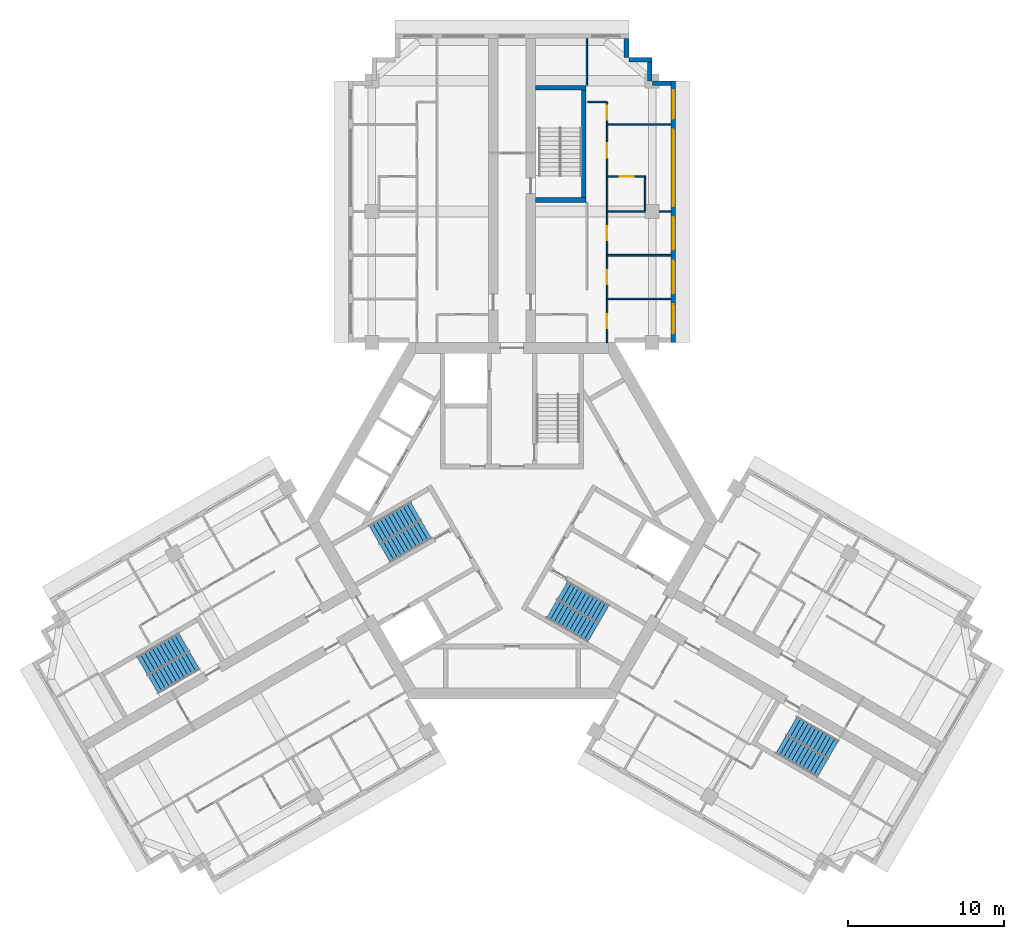
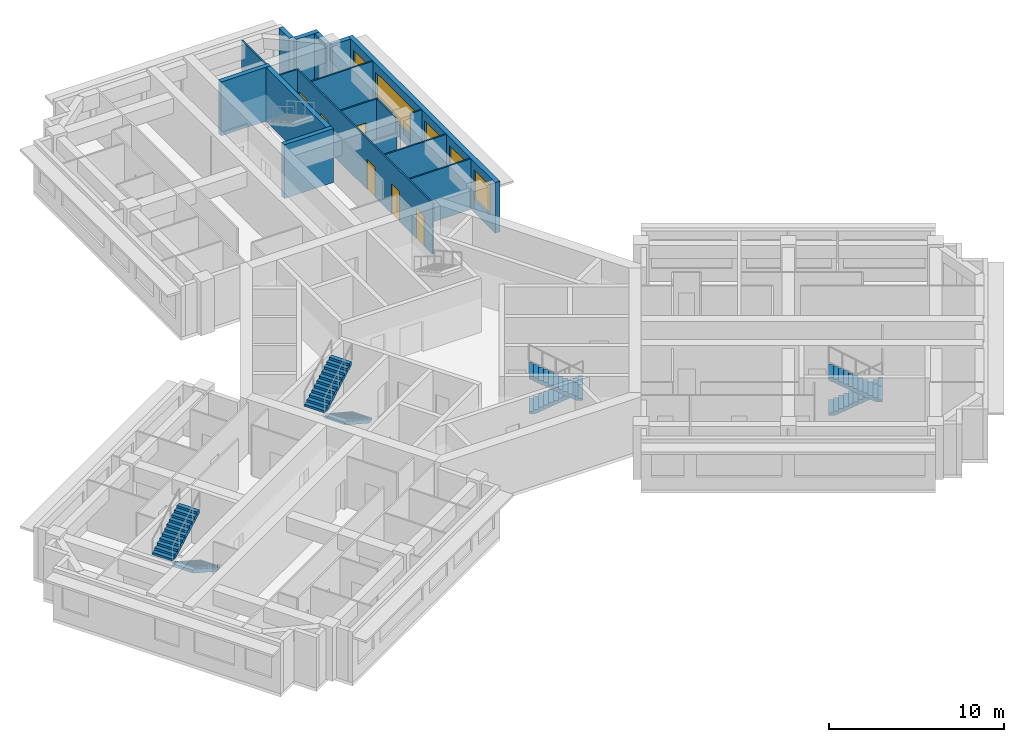
# One storey, part 8 of 10: 18 walls, 8 stair flights, 6 doors, 5 windows, 11 openings, 4 elements without a shape of their own.
"""IFC4 building model written with IfcOpenShell, lengths in metres."""

from ifc_helpers import new_model, si_unit, direction, frame, frame_2d, origin, place, context, subcontext, project, spatial, polyline, rectangle, outline, extrude, material, layer, layer_set, type_object, element, fill, aggregate, save


model = new_model("IFC4")

# Units and contexts
model_context = context("Model", 3, precision=1e-05, world=origin(), true_north=direction((0.0, 1.0)))
body_context = subcontext(model_context, "Body", "Model", "MODEL_VIEW")
ifc_project = project(units=[si_unit("LENGTHUNIT", "METRE"), si_unit("AREAUNIT", "SQUARE_METRE"), si_unit("VOLUMEUNIT", "CUBIC_METRE"), si_unit("PLANEANGLEUNIT", "RADIAN"), si_unit("MASSUNIT", "GRAM", prefix="KILO")], contexts=[model_context])

# Site, building, storey
site_placement = place(None, origin())
site = spatial("IfcSite", under=ifc_project, at=site_placement, CompositionType="ELEMENT")
building_placement = place(site_placement, origin())
building = spatial("IfcBuilding", under=site, at=building_placement, Name="Impinga Residences", CompositionType="ELEMENT")
storey_placement = place(building_placement, frame((0.0, 0.0, 259.75)))
storey = spatial("IfcBuildingStorey", under=building, at=storey_placement, Name="L65", CompositionType="ELEMENT", Elevation=259.75)

# Walls
ifc_material_1 = material(Name="Terracotta rainscreen on blockwork", Category="masonry")
ifc_layer_1 = layer(ifc_material_1, 0.300048828125)
ifc_layer_set_1 = layer_set([ifc_layer_1], Name="EW1 external wall, terracotta rainscreen on blockwork 300")
wall_type_1 = type_object("IfcWallType", Name="EW1 external wall, terracotta rainscreen on blockwork 300", PredefinedType="SOLIDWALL", material=ifc_layer_set_1)
wall_1_placement = place(storey_placement, frame((7.35009765625, 30.931640625, 0.0), z_axis=(0.0, 0.0, 1.0), x_axis=(0.0, -1.0, 0.0)))
element("IfcWall", 1, at=wall_1_placement, inside=storey, type_object=wall_type_1, Name="External wall EW1 L65", PredefinedType="SOLIDWALL", context=body_context, shape_type="SweptSolid", body=[
    extrude(rectangle(XDim=1.195068359375, YDim=0.300048828125, at=frame_2d((0.59765625, 0.0))), origin(), (0.0, 0.0, 1.0), 3.530029296875),
])
wall_2_placement = place(storey_placement, frame((7.5, 29.58154296875, 0.0), z_axis=(0.0, 0.0, 1.0), x_axis=(1.0, 0.0, 0.0)))
element("IfcWall", 2, at=wall_2_placement, inside=storey, type_object=wall_type_1, Name="External wall EW1 L65", PredefinedType="SOLIDWALL", context=body_context, shape_type="SweptSolid", body=[
    extrude(rectangle(XDim=1.5, YDim=0.300048828125, at=frame_2d((0.75, 0.0))), origin(), (0.0, 0.0, 1.0), 3.530029296875),
])
wall_3_placement = place(storey_placement, frame((8.85009765625, 29.431640625, 0.0), z_axis=(0.0, 0.0, 1.0), x_axis=(0.0, -1.0, 0.0)))
element("IfcWall", 3, at=wall_3_placement, inside=storey, type_object=wall_type_1, Name="External wall EW1 L65", PredefinedType="SOLIDWALL", context=body_context, shape_type="SweptSolid", body=[
    extrude(rectangle(XDim=1.2001953125, YDim=0.300048828125, at=frame_2d((0.60009765625, 0.0))), origin(), (0.0, 0.0, 1.0), 3.530029296875),
])
wall_4_placement = place(storey_placement, frame((9.0048828125, 28.08154296875, 0.0), z_axis=(0.0, 0.0, 1.0), x_axis=(1.0, 0.0, 0.0)))
element("IfcWall", 4, at=wall_4_placement, inside=storey, type_object=wall_type_1, Name="External wall EW1 L65", PredefinedType="SOLIDWALL", context=body_context, shape_type="SweptSolid", body=[
    extrude(rectangle(XDim=1.195068359375, YDim=0.300048828125, at=frame_2d((0.59765625, 0.0))), origin(), (0.0, 0.0, 1.0), 3.530029296875),
])

# Wall, openings, windows
wall_5_placement = place(storey_placement, frame((10.35009765625, 28.2314453125, 0.0), z_axis=(0.0, 0.0, 1.0), x_axis=(0.0, -1.0, 0.0)))
wall_5 = element("IfcWall", 5, at=wall_5_placement, inside=storey, type_object=wall_type_1, Name="External wall EW1 L65", PredefinedType="SOLIDWALL", context=body_context, shape_type="SweptSolid", body=[
    extrude(rectangle(XDim=16.7998046875, YDim=0.300048828125, at=frame_2d((8.39990234375, 0.0))), origin(), (0.0, 0.0, 1.0), 3.530029296875),
])
opening_1_placement = place(wall_5_placement, frame((0.60009765625, 0.0, 0.89990234375)))
opening_1 = element("IfcOpeningElement", 6, at=opening_1_placement, cuts=wall_5, Name="Opening W15", PredefinedType="OPENING", context=body_context, shape_type="SweptSolid", body=[
    extrude(rectangle(XDim=1.85009765625, YDim=2.050048828125, at=frame_2d((0.925048828125, 1.02490234375))), frame((0.0, 0.159912109375, 0.0), z_axis=(0.0, -1.0, 0.0), x_axis=(1.0, 0.0, 0.0)), (0.0, 0.0, 1.0), 0.320068359375),
])
opening_2_placement = place(wall_5_placement, frame((3.14990234375, 0.0, 0.89990234375)))
opening_2 = element("IfcOpeningElement", 7, at=opening_2_placement, cuts=wall_5, Name="Opening W16", PredefinedType="OPENING", context=body_context, shape_type="SweptSolid", body=[
    extrude(rectangle(XDim=4.89990234375, YDim=2.050048828125, at=frame_2d((2.449951171875, 1.02490234375))), frame((0.0, 0.159912109375, 0.0), z_axis=(0.0, -1.0, 0.0), x_axis=(1.0, 0.0, 0.0)), (0.0, 0.0, 1.0), 0.320068359375),
])
opening_3_placement = place(wall_5_placement, frame((8.75, 0.0, 0.89990234375)))
opening_3 = element("IfcOpeningElement", 8, at=opening_3_placement, cuts=wall_5, Name="Opening W9", PredefinedType="OPENING", context=body_context, shape_type="SweptSolid", body=[
    extrude(rectangle(XDim=2.10009765625, YDim=2.050048828125, at=frame_2d((1.050048828125, 1.02490234375))), frame((0.0, 0.159912109375, 0.0), z_axis=(0.0, -1.0, 0.0), x_axis=(1.0, 0.0, 0.0)), (0.0, 0.0, 1.0), 0.320068359375),
])
opening_4_placement = place(wall_5_placement, frame((11.550048828125, 0.0, 0.89990234375)))
opening_4 = element("IfcOpeningElement", 9, at=opening_4_placement, cuts=wall_5, Name="Opening W9", PredefinedType="OPENING", context=body_context, shape_type="SweptSolid", body=[
    extrude(rectangle(XDim=2.10009765625, YDim=2.050048828125, at=frame_2d((1.050048828125, 1.02490234375))), frame((0.0, 0.159912109375, 0.0), z_axis=(0.0, -1.0, 0.0), x_axis=(1.0, 0.0, 0.0)), (0.0, 0.0, 1.0), 0.320068359375),
])
opening_5_placement = place(wall_5_placement, frame((14.35009765625, 0.0, 0.89990234375)))
opening_5 = element("IfcOpeningElement", 10, at=opening_5_placement, cuts=wall_5, Name="Opening W15", PredefinedType="OPENING", context=body_context, shape_type="SweptSolid", body=[
    extrude(rectangle(XDim=1.85009765625, YDim=2.050048828125, at=frame_2d((0.925048828125, 1.02490234375))), frame((0.0, 0.159912109375, 0.0), z_axis=(0.0, -1.0, 0.0), x_axis=(1.0, 0.0, 0.0)), (0.0, 0.0, 1.0), 0.320068359375),
])
ifc_material_2 = material(Name="Aluminium window, clear double glazing", Category="aluminium")
window_type_1 = type_object("IfcWindowType", Name="W15 ribbon window 1850x2050", PartitioningType="SINGLE_PANEL", PredefinedType="WINDOW", material=ifc_material_2)
window_1_placement = place(opening_1_placement, origin())
window_1 = element("IfcWindow", 11, at=window_1_placement, inside=storey, type_object=window_type_1, Name="Window L65", OverallHeight=2.050048828125, OverallWidth=1.85009765625, PartitioningType="SINGLE_PANEL", PredefinedType="WINDOW", context=body_context, shape_type="SweptSolid", body=[
    extrude(rectangle(XDim=1.85009765625, YDim=2.050048828125, at=frame_2d((0.925048828125, 1.02490234375))), frame((0.0, 0.030029296875, 0.0), z_axis=(0.0, -1.0, 0.0), x_axis=(1.0, 0.0, 0.0)), (0.0, 0.0, 1.0), 0.06005859375),
])
fill(opening_1, window_1)
window_2_placement = place(opening_5_placement, origin())
window_2 = element("IfcWindow", 12, at=window_2_placement, inside=storey, type_object=window_type_1, Name="Window L65", OverallHeight=2.050048828125, OverallWidth=1.85009765625, PartitioningType="SINGLE_PANEL", PredefinedType="WINDOW", context=body_context, shape_type="SweptSolid", body=[
    extrude(rectangle(XDim=1.85009765625, YDim=2.050048828125, at=frame_2d((0.925048828125, 1.02490234375))), frame((0.0, 0.030029296875, 0.0), z_axis=(0.0, -1.0, 0.0), x_axis=(1.0, 0.0, 0.0)), (0.0, 0.0, 1.0), 0.06005859375),
])
fill(opening_5, window_2)
window_type_2 = type_object("IfcWindowType", Name="W16 ribbon window 4900x2050", PartitioningType="SINGLE_PANEL", PredefinedType="WINDOW", material=ifc_material_2)
window_3_placement = place(opening_2_placement, origin())
window_3 = element("IfcWindow", 13, at=window_3_placement, inside=storey, type_object=window_type_2, Name="Window L65", OverallHeight=2.050048828125, OverallWidth=4.89990234375, PartitioningType="SINGLE_PANEL", PredefinedType="WINDOW", context=body_context, shape_type="SweptSolid", body=[
    extrude(rectangle(XDim=4.89990234375, YDim=2.050048828125, at=frame_2d((2.449951171875, 1.02490234375))), frame((0.0, 0.030029296875, 0.0), z_axis=(0.0, -1.0, 0.0), x_axis=(1.0, 0.0, 0.0)), (0.0, 0.0, 1.0), 0.06005859375),
])
fill(opening_2, window_3)
window_type_3 = type_object("IfcWindowType", Name="W9 ribbon window 2100x2050", PartitioningType="SINGLE_PANEL", PredefinedType="WINDOW", material=ifc_material_2)
window_4_placement = place(opening_3_placement, origin())
window_4 = element("IfcWindow", 14, at=window_4_placement, inside=storey, type_object=window_type_3, Name="Window L65", OverallHeight=2.050048828125, OverallWidth=2.10009765625, PartitioningType="SINGLE_PANEL", PredefinedType="WINDOW", context=body_context, shape_type="SweptSolid", body=[
    extrude(rectangle(XDim=2.10009765625, YDim=2.050048828125, at=frame_2d((1.050048828125, 1.02490234375))), frame((0.0, 0.030029296875, 0.0), z_axis=(0.0, -1.0, 0.0), x_axis=(1.0, 0.0, 0.0)), (0.0, 0.0, 1.0), 0.06005859375),
])
fill(opening_3, window_4)
window_5_placement = place(opening_4_placement, origin())
window_5 = element("IfcWindow", 15, at=window_5_placement, inside=storey, type_object=window_type_3, Name="Window L65", OverallHeight=2.050048828125, OverallWidth=2.10009765625, PartitioningType="SINGLE_PANEL", PredefinedType="WINDOW", context=body_context, shape_type="SweptSolid", body=[
    extrude(rectangle(XDim=2.10009765625, YDim=2.050048828125, at=frame_2d((1.050048828125, 1.02490234375))), frame((0.0, 0.030029296875, 0.0), z_axis=(0.0, -1.0, 0.0), x_axis=(1.0, 0.0, 0.0)), (0.0, 0.0, 1.0), 0.06005859375),
])
fill(opening_4, window_5)

# Wall
ifc_material_3 = material(Name="Gypsum board on steel studs", Category="steel")
ifc_layer_2 = layer(ifc_material_3, 0.10009765625)
ifc_layer_set_2 = layer_set([ifc_layer_2], Name="Gypsum board on steel studs")
wall_type_2 = type_object("IfcWallType", Name="IP1 partition 100", PredefinedType="PARTITIONING", material=ifc_layer_set_2)
wall_6_placement = place(storey_placement, frame((4.800048828125, 27.931640625, 0.0), z_axis=(0.0, 0.0, 1.0), x_axis=(0.0, 1.0, 0.0)))
element("IfcWall", 16, at=wall_6_placement, inside=storey, type_object=wall_type_2, Name="Partition L65-NF1:DIV2", PredefinedType="PARTITIONING", context=body_context, shape_type="SweptSolid", body=[
    extrude(rectangle(XDim=3.0, YDim=0.10009765625, at=frame_2d((1.5, 0.0))), origin(), (0.0, 0.0, 1.0), 3.530029296875),
])

# Wall, openings, doors
wall_7_placement = place(storey_placement, frame((6.10009765625, 11.431640625, 0.0), z_axis=(0.0, 0.0, 1.0), x_axis=(0.0, 1.0, 0.0)))
wall_7 = element("IfcWall", 17, at=wall_7_placement, inside=storey, type_object=wall_type_2, Name="Partition L65-NF1:STRIP", PredefinedType="PARTITIONING", context=body_context, shape_type="SweptSolid", body=[
    extrude(rectangle(XDim=15.449951171875, YDim=0.10009765625, at=frame_2d((7.72509765625, 0.0))), origin(), (0.0, 0.0, 1.0), 3.530029296875),
])
opening_6_placement = place(wall_7_placement, frame((0.925048828125, 0.0, 0.0)))
opening_6 = element("IfcOpeningElement", 18, at=opening_6_placement, cuts=wall_7, Name="Opening D2", PredefinedType="OPENING", context=body_context, shape_type="SweptSolid", body=[
    extrude(rectangle(XDim=0.89990234375, YDim=2.10009765625, at=frame_2d((0.449951171875, 1.050048828125))), frame((0.0, 0.06005859375, 0.0), z_axis=(0.0, -1.0, 0.0), x_axis=(1.0, 0.0, 0.0)), (0.0, 0.0, 1.0), 0.1201171875),
])
opening_7_placement = place(wall_7_placement, frame((3.75, 0.0, 0.0)))
opening_7 = element("IfcOpeningElement", 19, at=opening_7_placement, cuts=wall_7, Name="Opening D2", PredefinedType="OPENING", context=body_context, shape_type="SweptSolid", body=[
    extrude(rectangle(XDim=0.89990234375, YDim=2.10009765625, at=frame_2d((0.449951171875, 1.050048828125))), frame((0.0, 0.06005859375, 0.0), z_axis=(0.0, -1.0, 0.0), x_axis=(1.0, 0.0, 0.0)), (0.0, 0.0, 1.0), 0.1201171875),
])
opening_8_placement = place(wall_7_placement, frame((6.550048828125, 0.0, 0.0)))
opening_8 = element("IfcOpeningElement", 20, at=opening_8_placement, cuts=wall_7, Name="Opening D2", PredefinedType="OPENING", context=body_context, shape_type="SweptSolid", body=[
    extrude(rectangle(XDim=0.89990234375, YDim=2.10009765625, at=frame_2d((0.449951171875, 1.050048828125))), frame((0.0, 0.06005859375, 0.0), z_axis=(0.0, -1.0, 0.0), x_axis=(1.0, 0.0, 0.0)), (0.0, 0.0, 1.0), 0.1201171875),
])
opening_9_placement = place(wall_7_placement, frame((11.875, 0.0, 0.0)))
opening_9 = element("IfcOpeningElement", 21, at=opening_9_placement, cuts=wall_7, Name="Opening D2", PredefinedType="OPENING", context=body_context, shape_type="SweptSolid", body=[
    extrude(rectangle(XDim=0.89990234375, YDim=2.10009765625, at=frame_2d((0.449951171875, 1.050048828125))), frame((0.0, 0.06005859375, 0.0), z_axis=(0.0, -1.0, 0.0), x_axis=(1.0, 0.0, 0.0)), (0.0, 0.0, 1.0), 0.1201171875),
])
opening_10_placement = place(wall_7_placement, frame((14.300048828125, 0.0, 0.0)))
opening_10 = element("IfcOpeningElement", 22, at=opening_10_placement, cuts=wall_7, Name="Opening D2", PredefinedType="OPENING", context=body_context, shape_type="SweptSolid", body=[
    extrude(rectangle(XDim=0.89990234375, YDim=2.10009765625, at=frame_2d((0.449951171875, 1.050048828125))), frame((0.0, 0.06005859375, 0.0), z_axis=(0.0, -1.0, 0.0), x_axis=(1.0, 0.0, 0.0)), (0.0, 0.0, 1.0), 0.1201171875),
])
ifc_material_4 = material(Name="Timber door set", Category="wood")
door_type = type_object("IfcDoorType", Name="D2 internal door 900x2100", OperationType="SINGLE_SWING_LEFT", PredefinedType="DOOR", material=ifc_material_4)
door_1_placement = place(opening_6_placement, origin())
door_1 = element("IfcDoor", 23, at=door_1_placement, inside=storey, type_object=door_type, Name="Apartment L65-NF1 room door", OperationType="SINGLE_SWING_LEFT", OverallHeight=2.10009765625, OverallWidth=0.89990234375, PredefinedType="DOOR", context=body_context, shape_type="SweptSolid", body=[
    extrude(rectangle(XDim=0.89990234375, YDim=2.10009765625, at=frame_2d((0.449951171875, 1.050048828125))), frame((0.0, 0.02490234375, 0.0), z_axis=(0.0, -1.0, 0.0), x_axis=(1.0, 0.0, 0.0)), (0.0, 0.0, 1.0), 0.050048828125),
])
fill(opening_6, door_1)
door_2_placement = place(opening_7_placement, origin())
door_2 = element("IfcDoor", 24, at=door_2_placement, inside=storey, type_object=door_type, Name="Apartment L65-NF1 room door", OperationType="SINGLE_SWING_LEFT", OverallHeight=2.10009765625, OverallWidth=0.89990234375, PredefinedType="DOOR", context=body_context, shape_type="SweptSolid", body=[
    extrude(rectangle(XDim=0.89990234375, YDim=2.10009765625, at=frame_2d((0.449951171875, 1.050048828125))), frame((0.0, 0.02490234375, 0.0), z_axis=(0.0, -1.0, 0.0), x_axis=(1.0, 0.0, 0.0)), (0.0, 0.0, 1.0), 0.050048828125),
])
fill(opening_7, door_2)
door_3_placement = place(opening_8_placement, origin())
door_3 = element("IfcDoor", 25, at=door_3_placement, inside=storey, type_object=door_type, Name="Apartment L65-NF1 room door", OperationType="SINGLE_SWING_LEFT", OverallHeight=2.10009765625, OverallWidth=0.89990234375, PredefinedType="DOOR", context=body_context, shape_type="SweptSolid", body=[
    extrude(rectangle(XDim=0.89990234375, YDim=2.10009765625, at=frame_2d((0.449951171875, 1.050048828125))), frame((0.0, 0.02490234375, 0.0), z_axis=(0.0, -1.0, 0.0), x_axis=(1.0, 0.0, 0.0)), (0.0, 0.0, 1.0), 0.050048828125),
])
fill(opening_8, door_3)
door_4_placement = place(opening_9_placement, origin())
door_4 = element("IfcDoor", 26, at=door_4_placement, inside=storey, type_object=door_type, Name="Apartment L65-NF1 room door", OperationType="SINGLE_SWING_RIGHT", OverallHeight=2.10009765625, OverallWidth=0.89990234375, PredefinedType="DOOR", context=body_context, shape_type="SweptSolid", body=[
    extrude(rectangle(XDim=0.89990234375, YDim=2.10009765625, at=frame_2d((0.449951171875, 1.050048828125))), frame((0.0, 0.02490234375, 0.0), z_axis=(0.0, -1.0, 0.0), x_axis=(1.0, 0.0, 0.0)), (0.0, 0.0, 1.0), 0.050048828125),
])
fill(opening_9, door_4)
door_5_placement = place(opening_10_placement, origin())
door_5 = element("IfcDoor", 27, at=door_5_placement, inside=storey, type_object=door_type, Name="Apartment L65-NF1 room door", OperationType="SINGLE_SWING_RIGHT", OverallHeight=2.10009765625, OverallWidth=0.89990234375, PredefinedType="DOOR", context=body_context, shape_type="SweptSolid", body=[
    extrude(rectangle(XDim=0.89990234375, YDim=2.10009765625, at=frame_2d((0.449951171875, 1.050048828125))), frame((0.0, 0.02490234375, 0.0), z_axis=(0.0, -1.0, 0.0), x_axis=(1.0, 0.0, 0.0)), (0.0, 0.0, 1.0), 0.050048828125),
])
fill(opening_10, door_5)

# Walls
wall_8_placement = place(storey_placement, frame((4.85009765625, 26.881591796875, 0.0), z_axis=(0.0, 0.0, 1.0), x_axis=(1.0, 0.0, 0.0)))
element("IfcWall", 28, at=wall_8_placement, inside=storey, type_object=wall_type_2, Name="Partition L65-NF1:SE1", PredefinedType="PARTITIONING", context=body_context, shape_type="SweptSolid", body=[
    extrude(rectangle(XDim=1.199951171875, YDim=0.10009765625, at=frame_2d((0.60009765625, 0.0))), origin(), (0.0, 0.0, 1.0), 3.530029296875),
])
for number, where, z_axis, x_axis, name in (
    (29, (6.14990234375, 14.2314453125, 0.0), (0.0, 0.0, 1.0), (1.0, 0.0, 0.0), "Partition L65-NF1:OB1"),
    (30, (6.14990234375, 17.031494140625, 0.0), (0.0, 0.0, 1.0), (1.0, 0.0, 0.0), "Partition L65-NF1:OB2"),
):
    element("IfcWall", number, at=place(storey_placement, frame(where, z_axis=z_axis, x_axis=x_axis)), inside=storey, type_object=wall_type_2, Name=name, PredefinedType="PARTITIONING", context=body_context, shape_type="SweptSolid", body=[
        extrude(rectangle(XDim=4.050048828125, YDim=0.10009765625, at=frame_2d((2.02490234375, 0.0))), origin(), (0.0, 0.0, 1.0), 3.530029296875),
    ])
wall_9_placement = place(storey_placement, frame((6.14990234375, 19.83154296875, 0.0), z_axis=(0.0, 0.0, 1.0), x_axis=(1.0, 0.0, 0.0)))
element("IfcWall", 31, at=wall_9_placement, inside=storey, type_object=wall_type_2, Name="Partition L65-NF1:OB3", PredefinedType="PARTITIONING", context=body_context, shape_type="SweptSolid", body=[
    extrude(rectangle(XDim=2.400146484375, YDim=0.10009765625, at=frame_2d((1.2001953125, 0.0))), origin(), (0.0, 0.0, 1.0), 2.47998046875),
])
wall_10_placement = place(storey_placement, frame((9.449951171875, 19.83154296875, 0.0), z_axis=(0.0, 0.0, 1.0), x_axis=(1.0, 0.0, 0.0)))
element("IfcWall", 32, at=wall_10_placement, inside=storey, type_object=wall_type_2, Name="Partition L65-NF1:OB3b", PredefinedType="PARTITIONING", context=body_context, shape_type="SweptSolid", body=[
    extrude(rectangle(XDim=0.75, YDim=0.10009765625, at=frame_2d((0.375, 0.0))), origin(), (0.0, 0.0, 1.0), 3.530029296875),
])
wall_11_placement = place(storey_placement, frame((6.14990234375, 25.431640625, 0.0), z_axis=(0.0, 0.0, 1.0), x_axis=(1.0, 0.0, 0.0)))
element("IfcWall", 33, at=wall_11_placement, inside=storey, type_object=wall_type_2, Name="Partition L65-NF1:OB4", PredefinedType="PARTITIONING", context=body_context, shape_type="SweptSolid", body=[
    extrude(rectangle(XDim=4.050048828125, YDim=0.10009765625, at=frame_2d((2.02490234375, 0.0))), origin(), (0.0, 0.0, 1.0), 3.530029296875),
])

# Wall, opening, door
wall_12_placement = place(storey_placement, frame((6.14990234375, 22.08154296875, 0.0), z_axis=(0.0, 0.0, 1.0), x_axis=(1.0, 0.0, 0.0)))
wall_12 = element("IfcWall", 34, at=wall_12_placement, inside=storey, type_object=wall_type_2, Name="Partition L65-NF1:EN1", PredefinedType="PARTITIONING", context=body_context, shape_type="SweptSolid", body=[
    extrude(rectangle(XDim=2.4501953125, YDim=0.10009765625, at=frame_2d((1.22509765625, 0.0))), origin(), (0.0, 0.0, 1.0), 3.530029296875),
])
opening_11_placement = place(wall_12_placement, frame((0.75, 0.0, 0.0)))
opening_11 = element("IfcOpeningElement", 35, at=opening_11_placement, cuts=wall_12, Name="Opening D2", PredefinedType="OPENING", context=body_context, shape_type="SweptSolid", body=[
    extrude(rectangle(XDim=0.89990234375, YDim=2.10009765625, at=frame_2d((0.449951171875, 1.050048828125))), frame((0.0, 0.06005859375, 0.0), z_axis=(0.0, -1.0, 0.0), x_axis=(1.0, 0.0, 0.0)), (0.0, 0.0, 1.0), 0.1201171875),
])
door_6_placement = place(opening_11_placement, origin())
door_6 = element("IfcDoor", 36, at=door_6_placement, inside=storey, type_object=door_type, Name="Apartment L65-NF1 en-suite door", OperationType="SINGLE_SWING_LEFT", OverallHeight=2.10009765625, OverallWidth=0.89990234375, PredefinedType="DOOR", context=body_context, shape_type="SweptSolid", body=[
    extrude(rectangle(XDim=0.89990234375, YDim=2.10009765625, at=frame_2d((0.449951171875, 1.050048828125))), frame((0.0, 0.02490234375, 0.0), z_axis=(0.0, -1.0, 0.0), x_axis=(1.0, 0.0, 0.0)), (0.0, 0.0, 1.0), 0.050048828125),
])
fill(opening_11, door_6)

# Walls
wall_13_placement = place(storey_placement, frame((8.550048828125, 19.881591796875, 0.0), z_axis=(0.0, 0.0, 1.0), x_axis=(0.0, 1.0, 0.0)))
element("IfcWall", 37, at=wall_13_placement, inside=storey, type_object=wall_type_2, Name="Partition L65-NF1:EN2", PredefinedType="PARTITIONING", context=body_context, shape_type="SweptSolid", body=[
    extrude(rectangle(XDim=2.14990234375, YDim=0.10009765625, at=frame_2d((1.074951171875, 0.0))), origin(), (0.0, 0.0, 1.0), 3.530029296875),
])
ifc_material_5 = material(Name="Concrete C60/75", Category="concrete")
ifc_layer_3 = layer(ifc_material_5, 0.300048828125)
ifc_layer_set_3 = layer_set([ifc_layer_3], Name="Concrete C60/75")
wall_type_3 = type_object("IfcWallType", Name="SE1 wing stair enclosure wall 300", PredefinedType="SOLIDWALL", material=ifc_layer_set_3)
for number, where, z_axis, x_axis, name in (
    (38, (1.5, 20.58154296875, 0.0), (0.0, 0.0, 1.0), (1.0, 0.0, 0.0), "Stair enclosure wall SE1 N END0 L65"),
    (39, (1.5, 27.781494140625, 0.0), (0.0, 0.0, 1.0), (1.0, 0.0, 0.0), "Stair enclosure wall SE1 N END1 L65"),
):
    element("IfcWall", number, at=place(storey_placement, frame(where, z_axis=z_axis, x_axis=x_axis)), inside=storey, type_object=wall_type_3, Name=name, PredefinedType="SOLIDWALL", context=body_context, shape_type="SweptSolid", body=[
        extrude(rectangle(XDim=3.25, YDim=0.300048828125, at=frame_2d((1.625, 0.0))), origin(), (0.0, 0.0, 1.0), 3.75),
    ])
wall_14_placement = place(storey_placement, frame((4.60009765625, 20.7314453125, 0.0), z_axis=(0.0, 0.0, 1.0), x_axis=(0.0, 1.0, 0.0)))
element("IfcWall", 40, at=wall_14_placement, inside=storey, type_object=wall_type_3, Name="Stair enclosure wall SE1 N OUT L65", PredefinedType="SOLIDWALL", context=body_context, shape_type="SweptSolid", body=[
    extrude(rectangle(XDim=6.900146484375, YDim=0.300048828125, at=frame_2d((3.4501953125, 0.0))), origin(), (0.0, 0.0, 1.0), 3.75),
])

# Stair, stair flights
ifc_material_6 = material(Name="Concrete C40/50", Category="concrete")
stair_type_1 = type_object("IfcStairType", Name="STR core stair 3750 storey, 24 risers", PredefinedType="HALF_TURN_STAIR", material=ifc_material_6)
stair_1_placement = place(storey_placement, origin())
stair_1 = element("IfcStair", 41, at=stair_1_placement, inside=storey, type_object=stair_type_1, Name="Stair ST2 L65", PredefinedType="HALF_TURN_STAIR")
stair_flight_type = type_object("IfcStairFlightType", Name="SF 12 risers of 156", PredefinedType="STRAIGHT", material=ifc_material_6)
stair_flight_1_placement = place(storey_placement, frame((-5.49365234375, -0.544677734375, 0.0), z_axis=(0.0, 0.0, 1.0), x_axis=(-0.866025403784, -0.5, 0.0)))
stair_flight_1 = element("IfcStairFlight", 42, at=stair_flight_1_placement, type_object=stair_flight_type, Name="ST2 flight 1", NumberOfRisers=12, NumberOfTreads=11, PredefinedType="STRAIGHT", RiserHeight=0.15625, TreadLength=0.28, context=body_context, shape_type="SweptSolid", body=[
    extrude(outline(polyline([(0.0, 0.0), (0.0, 0.15625), (0.280029296875, 0.15625), (0.280029296875, 0.3125), (0.56005859375, 0.3125), (0.56005859375, 0.46875), (0.840087890625, 0.46875), (0.840087890625, 0.625), (1.1201171875, 0.625), (1.1201171875, 0.78125), (1.39990234375, 0.78125), (1.39990234375, 0.9375), (1.679931640625, 0.9375), (1.679931640625, 1.09375), (1.9599609375, 1.09375), (1.9599609375, 1.25), (2.239990234375, 1.25), (2.239990234375, 1.40625), (2.52001953125, 1.40625), (2.52001953125, 1.5625), (2.800048828125, 1.5625), (2.800048828125, 1.71875), (3.080078125, 1.71875), (3.080078125, 1.875), (3.080078125, 1.5126953125), (0.369140625, 0.0), (0.0, 0.0)])), frame((0.0, 0.675048828125, 0.0), z_axis=(0.0, -1.0, 0.0), x_axis=(1.0, 0.0, 0.0)), (0.0, 0.0, 1.0), 1.35009765625),
])
stair_flight_2_placement = place(storey_placement, frame((-8.8359375, -0.915771484375, 1.875), z_axis=(0.0, 0.0, 1.0), x_axis=(0.866025403784, 0.5, 0.0)))
stair_flight_2 = element("IfcStairFlight", 43, at=stair_flight_2_placement, type_object=stair_flight_type, Name="ST2 flight 2", NumberOfRisers=12, NumberOfTreads=11, PredefinedType="STRAIGHT", RiserHeight=0.15625, TreadLength=0.28, context=body_context, shape_type="SweptSolid", body=[
    extrude(outline(polyline([(0.0, 0.0), (0.0, 0.15625), (0.280029296875, 0.15625), (0.280029296875, 0.3125), (0.56005859375, 0.3125), (0.56005859375, 0.46875), (0.840087890625, 0.46875), (0.840087890625, 0.625), (1.1201171875, 0.625), (1.1201171875, 0.78125), (1.39990234375, 0.78125), (1.39990234375, 0.9375), (1.679931640625, 0.9375), (1.679931640625, 1.09375), (1.9599609375, 1.09375), (1.9599609375, 1.25), (2.239990234375, 1.25), (2.239990234375, 1.40625), (2.52001953125, 1.40625), (2.52001953125, 1.5625), (2.800048828125, 1.5625), (2.800048828125, 1.71875), (3.080078125, 1.71875), (3.080078125, 1.875), (3.080078125, 1.5126953125), (0.369140625, 0.0), (0.0, 0.0)])), frame((0.0, 0.675048828125, 0.0), z_axis=(0.0, -1.0, 0.0), x_axis=(1.0, 0.0, 0.0)), (0.0, 0.0, 1.0), 1.35009765625),
])
aggregate(stair_1, [stair_flight_1, stair_flight_2])

stair_2_placement = place(storey_placement, origin())
stair_2 = element("IfcStair", 44, at=stair_2_placement, inside=storey, type_object=stair_type_1, Name="Stair ST3 L65", PredefinedType="HALF_TURN_STAIR")
stair_flight_3_placement = place(storey_placement, frame((3.218505859375, -4.485107421875, 0.0), z_axis=(0.0, 0.0, 1.0), x_axis=(0.866025403784, -0.5, 0.0)))
stair_flight_3 = element("IfcStairFlight", 45, at=stair_flight_3_placement, type_object=stair_flight_type, Name="ST3 flight 1", NumberOfRisers=12, NumberOfTreads=11, PredefinedType="STRAIGHT", RiserHeight=0.15625, TreadLength=0.28, context=body_context, shape_type="SweptSolid", body=[
    extrude(outline(polyline([(0.0, 0.0), (0.0, 0.15625), (0.280029296875, 0.15625), (0.280029296875, 0.3125), (0.56005859375, 0.3125), (0.56005859375, 0.46875), (0.840087890625, 0.46875), (0.840087890625, 0.625), (1.1201171875, 0.625), (1.1201171875, 0.78125), (1.39990234375, 0.78125), (1.39990234375, 0.9375), (1.679931640625, 0.9375), (1.679931640625, 1.09375), (1.9599609375, 1.09375), (1.9599609375, 1.25), (2.239990234375, 1.25), (2.239990234375, 1.40625), (2.52001953125, 1.40625), (2.52001953125, 1.5625), (2.800048828125, 1.5625), (2.800048828125, 1.71875), (3.080078125, 1.71875), (3.080078125, 1.875), (3.080078125, 1.5126953125), (0.369140625, 0.0), (0.0, 0.0)])), frame((0.0, 0.675048828125, 0.0), z_axis=(0.0, -1.0, 0.0), x_axis=(1.0, 0.0, 0.0)), (0.0, 0.0, 1.0), 1.35009765625),
])
stair_flight_4_placement = place(storey_placement, frame((5.2109375, -7.1943359375, 1.875), z_axis=(0.0, 0.0, 1.0), x_axis=(-0.866025403784, 0.5, 0.0)))
stair_flight_4 = element("IfcStairFlight", 46, at=stair_flight_4_placement, type_object=stair_flight_type, Name="ST3 flight 2", NumberOfRisers=12, NumberOfTreads=11, PredefinedType="STRAIGHT", RiserHeight=0.15625, TreadLength=0.28, context=body_context, shape_type="SweptSolid", body=[
    extrude(outline(polyline([(0.0, 0.0), (0.0, 0.15625), (0.280029296875, 0.15625), (0.280029296875, 0.3125), (0.56005859375, 0.3125), (0.56005859375, 0.46875), (0.840087890625, 0.46875), (0.840087890625, 0.625), (1.1201171875, 0.625), (1.1201171875, 0.78125), (1.39990234375, 0.78125), (1.39990234375, 0.9375), (1.679931640625, 0.9375), (1.679931640625, 1.09375), (1.9599609375, 1.09375), (1.9599609375, 1.25), (2.239990234375, 1.25), (2.239990234375, 1.40625), (2.52001953125, 1.40625), (2.52001953125, 1.5625), (2.800048828125, 1.5625), (2.800048828125, 1.71875), (3.080078125, 1.71875), (3.080078125, 1.875), (3.080078125, 1.5126953125), (0.369140625, 0.0), (0.0, 0.0)])), frame((0.0, 0.675048828125, 0.0), z_axis=(0.0, -1.0, 0.0), x_axis=(1.0, 0.0, 0.0)), (0.0, 0.0, 1.0), 1.35009765625),
])
aggregate(stair_2, [stair_flight_3, stair_flight_4])

stair_type_2 = type_object("IfcStairType", Name="STR wing stair 3750 storey, 24 risers", PredefinedType="HALF_TURN_STAIR", material=ifc_material_6)
stair_3_placement = place(storey_placement, origin())
stair_3 = element("IfcStair", 47, at=stair_3_placement, inside=storey, type_object=stair_type_2, Name="Stair WS2 L65", PredefinedType="HALF_TURN_STAIR")
stair_flight_5_placement = place(storey_placement, frame((-20.37890625, -8.965576171875, 0.0), z_axis=(0.0, 0.0, 1.0), x_axis=(-0.866025403784, -0.5, 0.0)))
stair_flight_5 = element("IfcStairFlight", 48, at=stair_flight_5_placement, type_object=stair_flight_type, Name="WS2 flight 1", NumberOfRisers=12, NumberOfTreads=11, PredefinedType="STRAIGHT", RiserHeight=0.15625, TreadLength=0.28, context=body_context, shape_type="SweptSolid", body=[
    extrude(outline(polyline([(0.0, 0.0), (0.0, 0.15625), (0.280029296875, 0.15625), (0.280029296875, 0.3125), (0.56005859375, 0.3125), (0.56005859375, 0.46875), (0.840087890625, 0.46875), (0.840087890625, 0.625), (1.1201171875, 0.625), (1.1201171875, 0.78125), (1.39990234375, 0.78125), (1.39990234375, 0.9375), (1.679931640625, 0.9375), (1.679931640625, 1.09375), (1.9599609375, 1.09375), (1.9599609375, 1.25), (2.239990234375, 1.25), (2.239990234375, 1.40625), (2.52001953125, 1.40625), (2.52001953125, 1.5625), (2.800048828125, 1.5625), (2.800048828125, 1.71875), (3.080078125, 1.71875), (3.080078125, 1.875), (3.080078125, 1.5126953125), (0.369140625, 0.0), (0.0, 0.0)])), frame((0.0, 0.675048828125, 0.0), z_axis=(0.0, -1.0, 0.0), x_axis=(1.0, 0.0, 0.0)), (0.0, 0.0, 1.0), 1.35009765625),
])
stair_flight_6_placement = place(storey_placement, frame((-23.721435546875, -9.33642578125, 1.875), z_axis=(0.0, 0.0, 1.0), x_axis=(0.866025403784, 0.5, 0.0)))
stair_flight_6 = element("IfcStairFlight", 49, at=stair_flight_6_placement, type_object=stair_flight_type, Name="WS2 flight 2", NumberOfRisers=12, NumberOfTreads=11, PredefinedType="STRAIGHT", RiserHeight=0.15625, TreadLength=0.28, context=body_context, shape_type="SweptSolid", body=[
    extrude(outline(polyline([(0.0, 0.0), (0.0, 0.15625), (0.280029296875, 0.15625), (0.280029296875, 0.3125), (0.56005859375, 0.3125), (0.56005859375, 0.46875), (0.840087890625, 0.46875), (0.840087890625, 0.625), (1.1201171875, 0.625), (1.1201171875, 0.78125), (1.39990234375, 0.78125), (1.39990234375, 0.9375), (1.679931640625, 0.9375), (1.679931640625, 1.09375), (1.9599609375, 1.09375), (1.9599609375, 1.25), (2.239990234375, 1.25), (2.239990234375, 1.40625), (2.52001953125, 1.40625), (2.52001953125, 1.5625), (2.800048828125, 1.5625), (2.800048828125, 1.71875), (3.080078125, 1.71875), (3.080078125, 1.875), (3.080078125, 1.5126953125), (0.369140625, 0.0), (0.0, 0.0)])), frame((0.0, 0.675048828125, 0.0), z_axis=(0.0, -1.0, 0.0), x_axis=(1.0, 0.0, 0.0)), (0.0, 0.0, 1.0), 1.35009765625),
])
aggregate(stair_3, [stair_flight_5, stair_flight_6])

stair_4_placement = place(storey_placement, origin())
stair_4 = element("IfcStair", 50, at=stair_4_placement, inside=storey, type_object=stair_type_2, Name="Stair WS3 L65", PredefinedType="HALF_TURN_STAIR")
stair_flight_7_placement = place(storey_placement, frame((17.953857421875, -13.165771484375, 0.0), z_axis=(0.0, 0.0, 1.0), x_axis=(0.866025403784, -0.5, 0.0)))
stair_flight_7 = element("IfcStairFlight", 51, at=stair_flight_7_placement, type_object=stair_flight_type, Name="WS3 flight 1", NumberOfRisers=12, NumberOfTreads=11, PredefinedType="STRAIGHT", RiserHeight=0.15625, TreadLength=0.28, context=body_context, shape_type="SweptSolid", body=[
    extrude(outline(polyline([(0.0, 0.0), (0.0, 0.15625), (0.280029296875, 0.15625), (0.280029296875, 0.3125), (0.56005859375, 0.3125), (0.56005859375, 0.46875), (0.840087890625, 0.46875), (0.840087890625, 0.625), (1.1201171875, 0.625), (1.1201171875, 0.78125), (1.39990234375, 0.78125), (1.39990234375, 0.9375), (1.679931640625, 0.9375), (1.679931640625, 1.09375), (1.9599609375, 1.09375), (1.9599609375, 1.25), (2.239990234375, 1.25), (2.239990234375, 1.40625), (2.52001953125, 1.40625), (2.52001953125, 1.5625), (2.800048828125, 1.5625), (2.800048828125, 1.71875), (3.080078125, 1.71875), (3.080078125, 1.875), (3.080078125, 1.5126953125), (0.369140625, 0.0), (0.0, 0.0)])), frame((0.0, 0.675048828125, 0.0), z_axis=(0.0, -1.0, 0.0), x_axis=(1.0, 0.0, 0.0)), (0.0, 0.0, 1.0), 1.35009765625),
])
stair_flight_8_placement = place(storey_placement, frame((19.9462890625, -15.875, 1.875), z_axis=(0.0, 0.0, 1.0), x_axis=(-0.866025403784, 0.5, 0.0)))
stair_flight_8 = element("IfcStairFlight", 52, at=stair_flight_8_placement, type_object=stair_flight_type, Name="WS3 flight 2", NumberOfRisers=12, NumberOfTreads=11, PredefinedType="STRAIGHT", RiserHeight=0.15625, TreadLength=0.28, context=body_context, shape_type="SweptSolid", body=[
    extrude(outline(polyline([(0.0, 0.0), (0.0, 0.15625), (0.280029296875, 0.15625), (0.280029296875, 0.3125), (0.56005859375, 0.3125), (0.56005859375, 0.46875), (0.840087890625, 0.46875), (0.840087890625, 0.625), (1.1201171875, 0.625), (1.1201171875, 0.78125), (1.39990234375, 0.78125), (1.39990234375, 0.9375), (1.679931640625, 0.9375), (1.679931640625, 1.09375), (1.9599609375, 1.09375), (1.9599609375, 1.25), (2.239990234375, 1.25), (2.239990234375, 1.40625), (2.52001953125, 1.40625), (2.52001953125, 1.5625), (2.800048828125, 1.5625), (2.800048828125, 1.71875), (3.080078125, 1.71875), (3.080078125, 1.875), (3.080078125, 1.5126953125), (0.369140625, 0.0), (0.0, 0.0)])), frame((0.0, 0.675048828125, 0.0), z_axis=(0.0, -1.0, 0.0), x_axis=(1.0, 0.0, 0.0)), (0.0, 0.0, 1.0), 1.35009765625),
])
aggregate(stair_4, [stair_flight_7, stair_flight_8])

save(model, "model.ifc")
